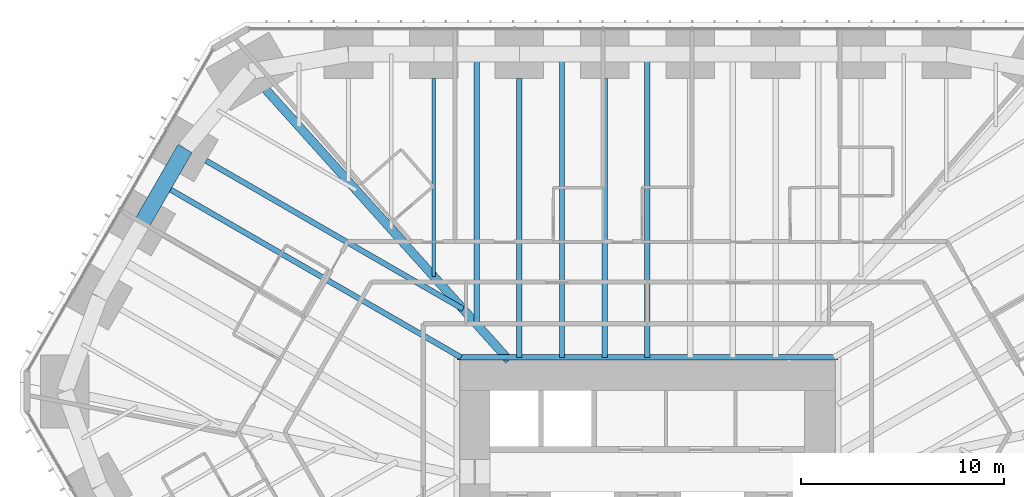
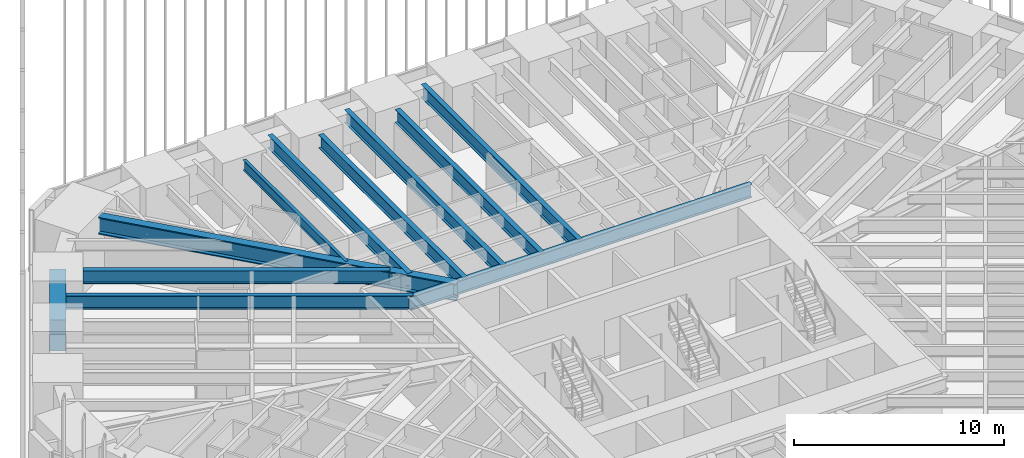
# One storey, part 151 of 256: 11 beams.
"""IFC4 building model written with IfcOpenShell, lengths in metres."""

from ifc_helpers import new_model, si_unit, direction, frame, origin, origin_2d, place, context, subcontext, project, spatial, rectangle, i_section, extrude, material, material_profile, profile_set, type_object, element, save


model = new_model("IFC4")

# Units and contexts
model_context = context("Model", 3, precision=1e-05, world=origin(), true_north=direction((0.0, 1.0)))
body_context = subcontext(model_context, "Body", "Model", "MODEL_VIEW")
ifc_project = project(units=[si_unit("LENGTHUNIT", "METRE"), si_unit("AREAUNIT", "SQUARE_METRE"), si_unit("VOLUMEUNIT", "CUBIC_METRE"), si_unit("PLANEANGLEUNIT", "RADIAN"), si_unit("MASSUNIT", "GRAM", prefix="KILO")], contexts=[model_context])

# Site, building, storey
site_placement = place(None, origin())
site = spatial("IfcSite", under=ifc_project, at=site_placement, CompositionType="ELEMENT")
building_placement = place(site_placement, origin())
building = spatial("IfcBuilding", under=site, at=building_placement, Name="Sandreach Pilgrim Tower", CompositionType="ELEMENT")
storey_placement = place(building_placement, frame((0.0, 0.0, 23.0)))
storey = spatial("IfcBuildingStorey", under=building, at=storey_placement, Name="L04", CompositionType="ELEMENT", Elevation=23.0)

# Beams
ifc_material_1 = material(Name="Steel ASTM A992 Grade 50", Category="steel")
ifc_material_profile_1 = material_profile(ifc_material_1, i_section(OverallWidth=0.2666015625, OverallDepth=0.77978515625, WebThickness=0.0166015625, FlangeThickness=0.030029296875, at=origin_2d()), Name="W30X148")
ifc_profile_set_1 = profile_set([ifc_material_profile_1], Name="Steel ASTM A992 Grade 50")
beam_type_1 = type_object("IfcBeamType", Name="Core edge beam W30X148", PredefinedType="BEAM", material=ifc_profile_set_1)
beam_1_placement = place(storey_placement, frame((-9.393310546875, 7.743408203125, 3.25), z_axis=(1.0, 0.0, 0.0), x_axis=(0.0, 1.0, 0.0)))
element("IfcBeam", 1, at=beam_1_placement, inside=storey, type_object=beam_type_1, Name="BM L04 CEN", PredefinedType="BEAM", context=body_context, shape_type="SweptSolid", body=[
    extrude(i_section(OverallWidth=0.2666015625, OverallDepth=0.77978515625, WebThickness=0.0166015625, FlangeThickness=0.030029296875, at=origin_2d()), origin(), (0.0, 0.0, 1.0), 18.78662109375),
])
ifc_material_2 = material(Name="Steel ASTM A992 Grade 50", Category="steel")
ifc_material_profile_2 = material_profile(ifc_material_2, i_section(OverallWidth=0.431884765625, OverallDepth=0.988037109375, WebThickness=0.034423828125, FlangeThickness=0.06201171875, at=origin_2d()), Name="W36X441")
ifc_profile_set_2 = profile_set([ifc_material_profile_2], Name="Steel ASTM A992 Grade 50")
beam_type_2 = type_object("IfcBeamType", Name="Corner girder W36X441", PredefinedType="BEAM", material=ifc_profile_set_2)
beam_2_placement = place(storey_placement, frame((-18.8046875, 20.94189453125, 3.14599609375), z_axis=(0.668127834846, -0.74404650144, 0.0), x_axis=(0.74404650144, 0.668127834846, 0.0)))
element("IfcBeam", 2, at=beam_2_placement, inside=storey, type_object=beam_type_2, Name="BM L04 CG39", PredefinedType="BEAM", context=body_context, shape_type="SweptSolid", body=[
    extrude(i_section(OverallWidth=0.431884765625, OverallDepth=0.988037109375, WebThickness=0.034423828125, FlangeThickness=0.06201171875, at=origin_2d()), origin(), (0.0, 0.0, 1.0), 17.931396484375),
])
ifc_material_3 = material(Name="Steel ASTM A992 Grade 50", Category="steel")
ifc_material_profile_3 = material_profile(ifc_material_3, i_section(OverallWidth=0.1787109375, OverallDepth=0.60205078125, WebThickness=0.010986328125, FlangeThickness=0.014892578125, at=origin_2d()), Name="W24X62")
ifc_profile_set_3 = profile_set([ifc_material_profile_3], Name="Steel ASTM A992 Grade 50")
beam_type_3 = type_object("IfcBeamType", Name="Floor beam W24X62", PredefinedType="BEAM", material=ifc_profile_set_3)
beam_3_placement = place(storey_placement, frame((-10.52490234375, 21.48876953125, 3.339111328125), z_axis=(0.0, -1.0, 0.0), x_axis=(1.0, 0.0, 0.0)))
element("IfcBeam", 3, at=beam_3_placement, inside=storey, type_object=beam_type_3, Name="BM L04 F02", PredefinedType="BEAM", context=body_context, shape_type="SweptSolid", body=[
    extrude(i_section(OverallWidth=0.1787109375, OverallDepth=0.60205078125, WebThickness=0.010986328125, FlangeThickness=0.014892578125, at=origin_2d()), origin(), (0.0, 0.0, 1.0), 9.767822265625),
])
ifc_material_4 = material(Name="Steel ASTM A992 Grade 50", Category="steel")
ifc_material_profile_4 = material_profile(ifc_material_4, i_section(OverallWidth=0.2666015625, OverallDepth=0.761962890625, WebThickness=0.014404296875, FlangeThickness=0.021484375, at=origin_2d()), Name="W30X116")
ifc_profile_set_4 = profile_set([ifc_material_profile_4], Name="Steel ASTM A992 Grade 50")
beam_type_4 = type_object("IfcBeamType", Name="Floor beam W30X116", PredefinedType="BEAM", material=ifc_profile_set_4)
for number, where, z_axis, x_axis, name in (
    (4, (-6.31494140625, 21.48876953125, 3.259033203125), (0.0, -1.0, 0.0), (1.0, 0.0, 0.0), "BM L04 F03"),
    (5, (-2.10498046875, 21.48876953125, 3.259033203125), (0.0, -1.0, 0.0), (1.0, 0.0, 0.0), "BM L04 F04"),
):
    element("IfcBeam", number, at=place(storey_placement, frame(where, z_axis=z_axis, x_axis=x_axis)), inside=storey, type_object=beam_type_4, Name=name, PredefinedType="BEAM", context=body_context, shape_type="SweptSolid", body=[
        extrude(i_section(OverallWidth=0.2666015625, OverallDepth=0.761962890625, WebThickness=0.014404296875, FlangeThickness=0.021484375, at=origin_2d()), origin(), (0.0, 0.0, 1.0), 13.745361328125),
    ])
beam_4_placement = place(storey_placement, frame((-21.74853515625, 17.43212890625, 3.259033203125), z_axis=(0.866020355572, -0.500008743658, 0.0), x_axis=(0.500008743658, 0.866020355572, 0.0)))
element("IfcBeam", 6, at=beam_4_placement, inside=storey, type_object=beam_type_4, Name="BM L04 F38", PredefinedType="BEAM", context=body_context, shape_type="SweptSolid", body=[
    extrude(i_section(OverallWidth=0.2666015625, OverallDepth=0.761962890625, WebThickness=0.014404296875, FlangeThickness=0.021484375, at=origin_2d()), origin(), (0.0, 0.0, 1.0), 14.615966796875),
])
beam_5_placement = place(storey_placement, frame((-8.419921875, 22.688720703125, 3.259033203125), z_axis=(0.0, -1.0, 0.0), x_axis=(1.0, 0.0, 0.0)))
element("IfcBeam", 7, at=beam_5_placement, inside=storey, type_object=beam_type_4, Name="BM L04 FM02", PredefinedType="BEAM", context=body_context, shape_type="SweptSolid", body=[
    extrude(i_section(OverallWidth=0.2666015625, OverallDepth=0.761962890625, WebThickness=0.014404296875, FlangeThickness=0.021484375, at=origin_2d()), origin(), (0.0, 0.0, 1.0), 13.311767578125),
])
for number, where, z_axis, x_axis, name in (
    (8, (-4.2099609375, 22.688720703125, 3.259033203125), (0.0, -1.0, 0.0), (1.0, 0.0, 0.0), "BM L04 FM03"),
    (9, (0.0, 22.688720703125, 3.259033203125), (0.0, -1.0, 0.0), (1.0, 0.0, 0.0), "BM L04 FM04"),
):
    element("IfcBeam", number, at=place(storey_placement, frame(where, z_axis=z_axis, x_axis=x_axis)), inside=storey, type_object=beam_type_4, Name=name, PredefinedType="BEAM", context=body_context, shape_type="SweptSolid", body=[
        extrude(i_section(OverallWidth=0.2666015625, OverallDepth=0.761962890625, WebThickness=0.014404296875, FlangeThickness=0.021484375, at=origin_2d()), origin(), (0.0, 0.0, 1.0), 14.9453125),
    ])
ifc_material_5 = material(Name="Steel ASTM A992 Grade 50", Category="steel")
ifc_material_profile_5 = material_profile(ifc_material_5, i_section(OverallWidth=0.2666015625, OverallDepth=0.77978515625, WebThickness=0.0166015625, FlangeThickness=0.030029296875, at=origin_2d()), Name="W30X148")
ifc_profile_set_5 = profile_set([ifc_material_profile_5], Name="Steel ASTM A992 Grade 50")
beam_type_5 = type_object("IfcBeamType", Name="Floor beam W30X148", PredefinedType="BEAM", material=ifc_profile_set_5)
beam_6_placement = place(storey_placement, frame((-23.843505859375, 16.203857421875, 3.25), z_axis=(0.866027248123, -0.499996805499, 0.0), x_axis=(0.499996805499, 0.866027248123, 0.0)))
element("IfcBeam", 10, at=beam_6_placement, inside=storey, type_object=beam_type_5, Name="BM L04 FM37", PredefinedType="BEAM", context=body_context, shape_type="SweptSolid", body=[
    extrude(i_section(OverallWidth=0.2666015625, OverallDepth=0.77978515625, WebThickness=0.0166015625, FlangeThickness=0.030029296875, at=origin_2d()), origin(), (0.0, 0.0, 1.0), 16.9208984375),
])
ifc_material_6 = material(Name="Concrete 10000 psi", Category="concrete")
ifc_material_profile_6 = material_profile(ifc_material_6, rectangle(XDim=0.800048828125, YDim=1.800048828125, at=origin_2d()), Name="RC800X1800")
ifc_profile_set_6 = profile_set([ifc_material_profile_6], Name="Concrete 10000 psi")
beam_type_6 = type_object("IfcBeamType", Name="Spandrel beam RC800X1800", PredefinedType="SPANDREL", material=ifc_profile_set_6)
beam_7_placement = place(storey_placement, frame((-24.89892578125, 14.37548828125, 2.739990234375), z_axis=(0.500001084989, 0.866024777365, 0.0), x_axis=(-0.866024777365, 0.500001084989, 0.0)))
element("IfcBeam", 11, at=beam_7_placement, inside=storey, type_object=beam_type_6, Name="BM L04 SP37", PredefinedType="SPANDREL", context=body_context, shape_type="SweptSolid", body=[
    extrude(rectangle(XDim=0.800048828125, YDim=1.800048828125, at=origin_2d()), origin(), (0.0, 0.0, 1.0), 4.22216796875),
])

save(model, "model.ifc")
